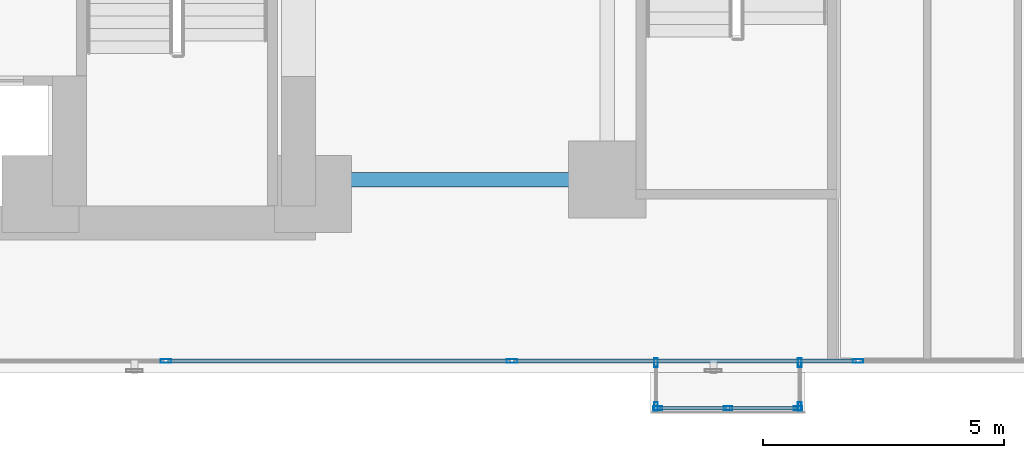
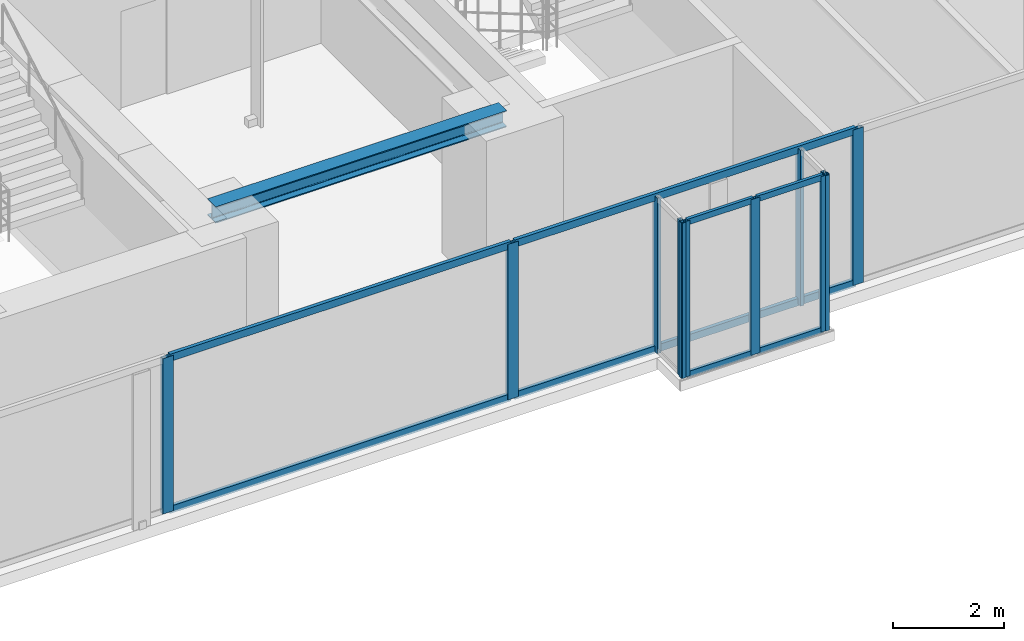
# One storey, part 4 of 28: 18 members, 1 beam, 4 elements without a shape of their own.
"""IFC4 building model written with IfcOpenShell, lengths in metres."""

from ifc_helpers import new_model, si_unit, direction, frame, origin, origin_with_axes, origin_2d, place, context, subcontext, project, spatial, hollow_rectangle, i_section, extrude, source, transform, mapped, material, layer, layer_set, material_profile, profile_set, type_object, element, aggregate, save


model = new_model("IFC4")

# Units and contexts
model_context = context("Model", 3, precision=1e-05, world=origin(), true_north=direction((0.0, 1.0)))
body_context = subcontext(model_context, "Body", "Model", "MODEL_VIEW")
ifc_project = project(units=[si_unit("LENGTHUNIT", "METRE"), si_unit("AREAUNIT", "SQUARE_METRE"), si_unit("VOLUMEUNIT", "CUBIC_METRE"), si_unit("PLANEANGLEUNIT", "RADIAN"), si_unit("MASSUNIT", "GRAM", prefix="KILO")], contexts=[model_context])

# Site, building, storey
site_placement = place(None, origin())
site = spatial("IfcSite", under=ifc_project, at=site_placement, CompositionType="ELEMENT")
building_placement = place(site_placement, origin())
building = spatial("IfcBuilding", under=site, at=building_placement, Name="Kolvaren Waterfront Exchange", CompositionType="ELEMENT")
storey_placement = place(building_placement, frame((0.0, 0.0, 79.0)))
storey = spatial("IfcBuildingStorey", under=building, at=storey_placement, Name="L20", CompositionType="ELEMENT", Elevation=79.0)

# Beam
ifc_material_1 = material(Name="Steel S355", Category="steel")
ifc_material_profile_1 = material_profile(ifc_material_1, i_section(OverallWidth=0.300048828125, OverallDepth=0.360107421875, WebThickness=0.012451171875, FlangeThickness=0.0224609375, FilletRadius=0.027099609375, at=origin_2d()), Name="HEB360")
ifc_profile_set_1 = profile_set([ifc_material_profile_1], Name="Steel S355")
beam_type = type_object("IfcBeamType", Name="STR-BM-HEB360", PredefinedType="SPANDREL", material=ifc_profile_set_1)
beam_placement = place(storey_placement, frame((21.14990234375, 5.199951171875, 3.239990234375), z_axis=(1.0, 0.0, 0.0), x_axis=(0.0, 1.0, 0.0)))
element("IfcBeam", 1, at=beam_placement, inside=storey, type_object=beam_type, Name="L20 east-arm spandrel S1", PredefinedType="SPANDREL", context=body_context, shape_type="SweptSolid", body=[
    extrude(i_section(OverallWidth=0.300048828125, OverallDepth=0.360107421875, WebThickness=0.012451171875, FlangeThickness=0.0224609375, FilletRadius=0.027099609375, at=origin_2d()), origin(), (0.0, 0.0, 1.0), 6.050048828125),
])

# Curtain wall, members
ifc_material_2 = material(Name="Anodised bronze aluminium 6063-T6", Category="aluminium")
ifc_layer_1 = layer(ifc_material_2, 0.219970703125, Name="Anodised bronze aluminium 6063-T6")
ifc_layer_set_1 = layer_set([ifc_layer_1], Name="Anodised bronze aluminium 6063-T6")
curtain_wall_type_1 = type_object("IfcCurtainWallType", Name="ARC-CW-SYS1", PredefinedType="USERDEFINED", material=ifc_layer_set_1)
curtain_wall_1_placement = place(storey_placement, origin())
curtain_wall_1 = element("IfcCurtainWall", 2, at=curtain_wall_1_placement, inside=storey, type_object=curtain_wall_type_1, Name="L20 stick curtain wall CW1 (CW-L20-S)", ObjectType="STICK CURTAIN WALL", PredefinedType="USERDEFINED")
ifc_material_3 = material(Name="Anodised aluminium 6063-T6", Category="aluminium")
ifc_material_profile_2 = material_profile(ifc_material_3, hollow_rectangle(XDim=0.074951171875, YDim=0.159912109375, WallThickness=0.00439453125, at=origin_2d()), Name="ALU-TRN-160x75x4.5")
ifc_profile_set_2 = profile_set([ifc_material_profile_2], Name="Anodised aluminium 6063-T6")
member_type_1 = type_object("IfcMemberType", Name="ARC-CWT-160", PredefinedType="USERDEFINED", material=ifc_profile_set_2)
shared_shape_1 = source(origin_with_axes(), body_context, "Body", "SweptSolid", [
    extrude(hollow_rectangle(XDim=0.074951171875, YDim=0.159912109375, WallThickness=0.00439453125, at=origin_2d()), origin(), (0.0, 0.0, 1.0), 7.094970703125),
])
member_1_placement = place(storey_placement, frame((18.090087890625, 1.43994140625, 0.03759765625), z_axis=(1.0, 0.0, 0.0), x_axis=(0.0, 1.0, 0.0)))
member_1 = element("IfcMember", 3, at=member_1_placement, type_object=member_type_1, Name="CW1 transom 3.1", ObjectType="TRANSOM", PredefinedType="USERDEFINED", context=body_context, shape_type="MappedRepresentation", body=[
    mapped(shared_shape_1, transform((0.0, 0.0, 0.0), x_axis=(1.0, 0.0, 0.0), y_axis=(0.0, 1.0, 0.0), z_axis=(0.0, 0.0, 1.0), scale=1.0)),
])
member_2_placement = place(storey_placement, frame((18.090087890625, 1.43994140625, 3.382568359375), z_axis=(1.0, 0.0, 0.0), x_axis=(0.0, 1.0, 0.0)))
member_2 = element("IfcMember", 4, at=member_2_placement, type_object=member_type_1, Name="CW1 transom 3.2", ObjectType="TRANSOM", PredefinedType="USERDEFINED", context=body_context, shape_type="MappedRepresentation", body=[
    mapped(shared_shape_1, transform((0.0, 0.0, 0.0), x_axis=(1.0, 0.0, 0.0), y_axis=(0.0, 1.0, 0.0), z_axis=(0.0, 0.0, 1.0), scale=1.0)),
])
shared_shape_2 = source(origin_with_axes(), body_context, "Body", "SweptSolid", [
    extrude(hollow_rectangle(XDim=0.074951171875, YDim=0.159912109375, WallThickness=0.00439453125, at=origin_2d()), origin(), (0.0, 0.0, 1.0), 7.09521484375),
])
member_3_placement = place(storey_placement, frame((25.264892578125, 1.43994140625, 0.03759765625), z_axis=(1.0, 0.0, 0.0), x_axis=(0.0, 1.0, 0.0)))
member_3 = element("IfcMember", 5, at=member_3_placement, type_object=member_type_1, Name="CW1 transom 4.1", ObjectType="TRANSOM", PredefinedType="USERDEFINED", context=body_context, shape_type="MappedRepresentation", body=[
    mapped(shared_shape_2, transform((0.0, 0.0, 0.0), x_axis=(1.0, 0.0, 0.0), y_axis=(0.0, 1.0, 0.0), z_axis=(0.0, 0.0, 1.0), scale=1.0)),
])
member_4_placement = place(storey_placement, frame((25.264892578125, 1.43994140625, 3.382568359375), z_axis=(1.0, 0.0, 0.0), x_axis=(0.0, 1.0, 0.0)))
member_4 = element("IfcMember", 6, at=member_4_placement, type_object=member_type_1, Name="CW1 transom 4.2", ObjectType="TRANSOM", PredefinedType="USERDEFINED", context=body_context, shape_type="MappedRepresentation", body=[
    mapped(shared_shape_2, transform((0.0, 0.0, 0.0), x_axis=(1.0, 0.0, 0.0), y_axis=(0.0, 1.0, 0.0), z_axis=(0.0, 0.0, 1.0), scale=1.0)),
])

ifc_layer_2 = layer(ifc_material_2, 0.219970703125, Name="Anodised bronze aluminium 6063-T6")
ifc_layer_set_2 = layer_set([ifc_layer_2], Name="Anodised bronze aluminium 6063-T6")
curtain_wall_type_2 = type_object("IfcCurtainWallType", Name="ARC-CW-SYS3", PredefinedType="USERDEFINED", material=ifc_layer_set_2)
curtain_wall_2_placement = place(storey_placement, origin())
curtain_wall_2 = element("IfcCurtainWall", 7, at=curtain_wall_2_placement, inside=storey, type_object=curtain_wall_type_2, Name="L20 stick curtain wall CW3 (CW-L20-BOX)", ObjectType="STICK CURTAIN WALL", PredefinedType="USERDEFINED")
ifc_material_profile_3 = material_profile(ifc_material_2, hollow_rectangle(XDim=0.06494140625, YDim=0.1298828125, WallThickness=0.00390625, at=origin_2d()), Name="ALU-TRN-130x65x4")
ifc_profile_set_3 = profile_set([ifc_material_profile_3], Name="Anodised bronze aluminium 6063-T6")
member_type_2 = type_object("IfcMemberType", Name="ARC-CWT-130", PredefinedType="USERDEFINED", material=ifc_profile_set_3)
shared_shape_3 = source(origin_with_axes(), body_context, "Body", "SweptSolid", [
    extrude(hollow_rectangle(XDim=0.06494140625, YDim=0.1298828125, WallThickness=0.00390625, at=origin_2d()), origin(), (0.0, 0.0, 1.0), 1.377685546875),
])
member_5_placement = place(storey_placement, frame((28.284912109375, 0.4599609375, 0.032470703125), z_axis=(1.0, 0.0, 0.0), x_axis=(0.0, 1.0, 0.0)))
member_5 = element("IfcMember", 8, at=member_5_placement, type_object=member_type_2, Name="CW3 transom 1.1", ObjectType="TRANSOM", PredefinedType="USERDEFINED", context=body_context, shape_type="MappedRepresentation", body=[
    mapped(shared_shape_3, transform((0.0, 0.0, 0.0), x_axis=(1.0, 0.0, 0.0), y_axis=(0.0, 1.0, 0.0), z_axis=(0.0, 0.0, 1.0), scale=1.0)),
])
member_6_placement = place(storey_placement, frame((28.284912109375, 0.4599609375, 3.387451171875), z_axis=(1.0, 0.0, 0.0), x_axis=(0.0, 1.0, 0.0)))
member_6 = element("IfcMember", 9, at=member_6_placement, type_object=member_type_2, Name="CW3 transom 1.2", ObjectType="TRANSOM", PredefinedType="USERDEFINED", context=body_context, shape_type="MappedRepresentation", body=[
    mapped(shared_shape_3, transform((0.0, 0.0, 0.0), x_axis=(1.0, 0.0, 0.0), y_axis=(0.0, 1.0, 0.0), z_axis=(0.0, 0.0, 1.0), scale=1.0)),
])
shared_shape_4 = source(origin_with_axes(), body_context, "Body", "SweptSolid", [
    extrude(hollow_rectangle(XDim=0.06494140625, YDim=0.1298828125, WallThickness=0.00390625, at=origin_2d()), origin(), (0.0, 0.0, 1.0), 1.37744140625),
])
member_7_placement = place(storey_placement, frame((29.737548828125, 0.4599609375, 0.032470703125), z_axis=(1.0, 0.0, 0.0), x_axis=(0.0, 1.0, 0.0)))
member_7 = element("IfcMember", 10, at=member_7_placement, type_object=member_type_2, Name="CW3 transom 2.1", ObjectType="TRANSOM", PredefinedType="USERDEFINED", context=body_context, shape_type="MappedRepresentation", body=[
    mapped(shared_shape_4, transform((0.0, 0.0, 0.0), x_axis=(1.0, 0.0, 0.0), y_axis=(0.0, 1.0, 0.0), z_axis=(0.0, 0.0, 1.0), scale=1.0)),
])
member_8_placement = place(storey_placement, frame((29.737548828125, 0.4599609375, 3.387451171875), z_axis=(1.0, 0.0, 0.0), x_axis=(0.0, 1.0, 0.0)))
member_8 = element("IfcMember", 11, at=member_8_placement, type_object=member_type_2, Name="CW3 transom 2.2", ObjectType="TRANSOM", PredefinedType="USERDEFINED", context=body_context, shape_type="MappedRepresentation", body=[
    mapped(shared_shape_4, transform((0.0, 0.0, 0.0), x_axis=(1.0, 0.0, 0.0), y_axis=(0.0, 1.0, 0.0), z_axis=(0.0, 0.0, 1.0), scale=1.0)),
])

curtain_wall_3_placement = place(storey_placement, origin())
curtain_wall_3 = element("IfcCurtainWall", 12, at=curtain_wall_3_placement, inside=storey, type_object=curtain_wall_type_2, Name="L20 stick curtain wall CW3 (CW-L20-BOX-W)", ObjectType="STICK CURTAIN WALL", PredefinedType="USERDEFINED")
ifc_material_profile_4 = material_profile(ifc_material_2, hollow_rectangle(XDim=0.074951171875, YDim=0.179931640625, WallThickness=0.00439453125, at=origin_2d()), Name="ALU-MUL-180x75x4.5")
ifc_profile_set_4 = profile_set([ifc_material_profile_4], Name="Anodised bronze aluminium 6063-T6")
member_type_3 = type_object("IfcMemberType", Name="ARC-CWM-180", PredefinedType="MULLION", material=ifc_profile_set_4)
shared_shape_5 = source(origin_with_axes(), body_context, "Body", "SweptSolid", [
    extrude(hollow_rectangle(XDim=0.074951171875, YDim=0.179931640625, WallThickness=0.00439453125, at=origin_2d()), origin(), (0.0, 0.0, 1.0), 3.419921875),
])
member_9_placement = place(storey_placement, frame((28.2099609375, 1.402587890625, 0.0), z_axis=(0.0, 0.0, 1.0), x_axis=(1.0, 0.0, 0.0)))
member_9 = element("IfcMember", 13, at=member_9_placement, type_object=member_type_3, Name="CW3 mullion 1", PredefinedType="MULLION", context=body_context, shape_type="MappedRepresentation", body=[
    mapped(shared_shape_5, transform((0.0, 0.0, 0.0), x_axis=(1.0, 0.0, 0.0), y_axis=(0.0, 1.0, 0.0), z_axis=(0.0, 0.0, 1.0), scale=1.0)),
])
member_10_placement = place(storey_placement, frame((28.2099609375, 0.49755859375, 0.0), z_axis=(0.0, 0.0, 1.0), x_axis=(1.0, 0.0, 0.0)))
member_10 = element("IfcMember", 14, at=member_10_placement, type_object=member_type_3, Name="CW3 mullion 2", PredefinedType="MULLION", context=body_context, shape_type="MappedRepresentation", body=[
    mapped(shared_shape_5, transform((0.0, 0.0, 0.0), x_axis=(1.0, 0.0, 0.0), y_axis=(0.0, 1.0, 0.0), z_axis=(0.0, 0.0, 1.0), scale=1.0)),
])
aggregate(curtain_wall_3, [member_9, member_10])

# Member
member_11_placement = place(storey_placement, frame((28.24755859375, 0.4599609375, 0.0), z_axis=(0.0, 0.0, 1.0), x_axis=(0.0, 1.0, 0.0)))
member_11 = element("IfcMember", 15, at=member_11_placement, type_object=member_type_3, Name="CW3 mullion 1", PredefinedType="MULLION", context=body_context, shape_type="MappedRepresentation", body=[
    mapped(shared_shape_5, transform((0.0, 0.0, 0.0), x_axis=(1.0, 0.0, 0.0), y_axis=(0.0, 1.0, 0.0), z_axis=(0.0, 0.0, 1.0), scale=1.0)),
])

member_12_placement = place(storey_placement, frame((29.699951171875, 0.4599609375, 0.0), z_axis=(0.0, 0.0, 1.0), x_axis=(0.0, 1.0, 0.0)))
member_12 = element("IfcMember", 16, at=member_12_placement, type_object=member_type_3, Name="CW3 mullion 2", PredefinedType="MULLION", context=body_context, shape_type="MappedRepresentation", body=[
    mapped(shared_shape_5, transform((0.0, 0.0, 0.0), x_axis=(1.0, 0.0, 0.0), y_axis=(0.0, 1.0, 0.0), z_axis=(0.0, 0.0, 1.0), scale=1.0)),
])

member_13_placement = place(storey_placement, frame((31.152587890625, 0.4599609375, 0.0), z_axis=(0.0, 0.0, 1.0), x_axis=(0.0, 1.0, 0.0)))
member_13 = element("IfcMember", 17, at=member_13_placement, type_object=member_type_3, Name="CW3 mullion 3", PredefinedType="MULLION", context=body_context, shape_type="MappedRepresentation", body=[
    mapped(shared_shape_5, transform((0.0, 0.0, 0.0), x_axis=(1.0, 0.0, 0.0), y_axis=(0.0, 1.0, 0.0), z_axis=(0.0, 0.0, 1.0), scale=1.0)),
])

aggregate(curtain_wall_2, [member_11, member_12, member_13, member_5, member_6, member_7, member_8])

# Curtain wall, members
curtain_wall_4_placement = place(storey_placement, origin())
curtain_wall_4 = element("IfcCurtainWall", 18, at=curtain_wall_4_placement, inside=storey, type_object=curtain_wall_type_2, Name="L20 stick curtain wall CW3 (CW-L20-BOX-E)", ObjectType="STICK CURTAIN WALL", PredefinedType="USERDEFINED")
member_14_placement = place(storey_placement, frame((31.18994140625, 0.49755859375, 0.0), z_axis=(0.0, 0.0, 1.0), x_axis=(-1.0, 0.0, 0.0)))
member_14 = element("IfcMember", 19, at=member_14_placement, type_object=member_type_3, Name="CW3 mullion 1", PredefinedType="MULLION", context=body_context, shape_type="MappedRepresentation", body=[
    mapped(shared_shape_5, transform((0.0, 0.0, 0.0), x_axis=(1.0, 0.0, 0.0), y_axis=(0.0, 1.0, 0.0), z_axis=(0.0, 0.0, 1.0), scale=1.0)),
])
member_15_placement = place(storey_placement, frame((31.18994140625, 1.402587890625, 0.0), z_axis=(0.0, 0.0, 1.0), x_axis=(-1.0, 0.0, 0.0)))
member_15 = element("IfcMember", 20, at=member_15_placement, type_object=member_type_3, Name="CW3 mullion 2", PredefinedType="MULLION", context=body_context, shape_type="MappedRepresentation", body=[
    mapped(shared_shape_5, transform((0.0, 0.0, 0.0), x_axis=(1.0, 0.0, 0.0), y_axis=(0.0, 1.0, 0.0), z_axis=(0.0, 0.0, 1.0), scale=1.0)),
])
aggregate(curtain_wall_4, [member_14, member_15])

# Member
ifc_material_profile_5 = material_profile(ifc_material_3, hollow_rectangle(XDim=0.080078125, YDim=0.219970703125, WallThickness=0.0048828125, at=origin_2d()), Name="ALU-MUL-220x80x5")
ifc_profile_set_5 = profile_set([ifc_material_profile_5], Name="Anodised aluminium 6063-T6")
member_type_4 = type_object("IfcMemberType", Name="ARC-CWM-220", PredefinedType="MULLION", material=ifc_profile_set_5)
shared_shape_6 = source(origin_with_axes(), body_context, "Body", "SweptSolid", [
    extrude(hollow_rectangle(XDim=0.080078125, YDim=0.219970703125, WallThickness=0.0048828125, at=origin_2d()), origin(), (0.0, 0.0, 1.0), 3.419921875),
])
member_16_placement = place(storey_placement, frame((18.050048828125, 1.43994140625, 0.0), z_axis=(0.0, 0.0, 1.0), x_axis=(0.0, 1.0, 0.0)))
member_16 = element("IfcMember", 21, at=member_16_placement, type_object=member_type_4, Name="CW1 mullion 3", PredefinedType="MULLION", context=body_context, shape_type="MappedRepresentation", body=[
    mapped(shared_shape_6, transform((0.0, 0.0, 0.0), x_axis=(1.0, 0.0, 0.0), y_axis=(0.0, 1.0, 0.0), z_axis=(0.0, 0.0, 1.0), scale=1.0)),
])

member_17_placement = place(storey_placement, frame((25.22509765625, 1.43994140625, 0.0), z_axis=(0.0, 0.0, 1.0), x_axis=(0.0, 1.0, 0.0)))
member_17 = element("IfcMember", 22, at=member_17_placement, type_object=member_type_4, Name="CW1 mullion 4", PredefinedType="MULLION", context=body_context, shape_type="MappedRepresentation", body=[
    mapped(shared_shape_6, transform((0.0, 0.0, 0.0), x_axis=(1.0, 0.0, 0.0), y_axis=(0.0, 1.0, 0.0), z_axis=(0.0, 0.0, 1.0), scale=1.0)),
])

member_18_placement = place(storey_placement, frame((32.39990234375, 1.43994140625, 0.0), z_axis=(0.0, 0.0, 1.0), x_axis=(0.0, 1.0, 0.0)))
member_18 = element("IfcMember", 23, at=member_18_placement, type_object=member_type_4, Name="CW1 mullion 5", PredefinedType="MULLION", context=body_context, shape_type="MappedRepresentation", body=[
    mapped(shared_shape_6, transform((0.0, 0.0, 0.0), x_axis=(1.0, 0.0, 0.0), y_axis=(0.0, 1.0, 0.0), z_axis=(0.0, 0.0, 1.0), scale=1.0)),
])

aggregate(curtain_wall_1, [member_16, member_17, member_18, member_1, member_2, member_3, member_4])

save(model, "model.ifc")
